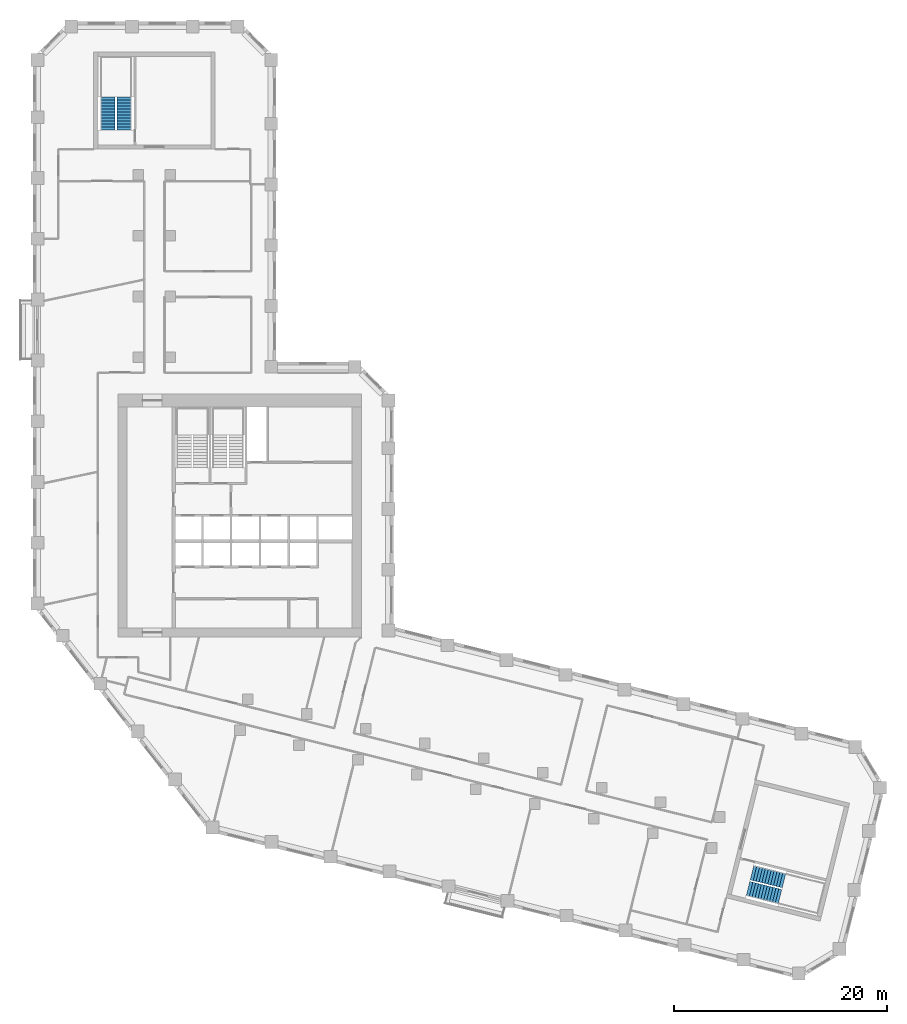
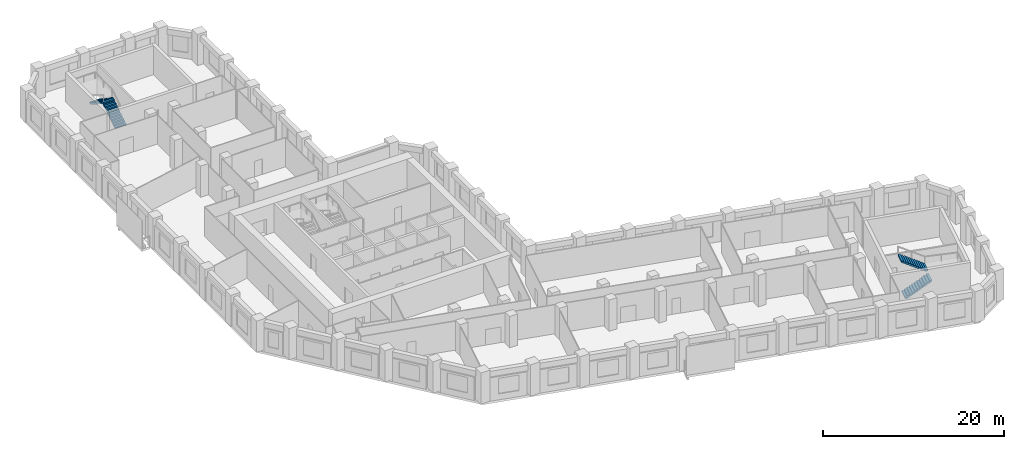
# One storey, part 9 of 10: 4 stair flights, 2 elements without a shape of their own.
"""IFC4 building model written with IfcOpenShell, lengths in metres."""

from ifc_helpers import new_model, si_unit, direction, frame, origin, place, context, subcontext, project, spatial, polyline, outline, extrude, material, type_object, element, aggregate, save


model = new_model("IFC4")

# Units and contexts
model_context = context("Model", 3, precision=1e-05, world=origin(), true_north=direction((0.0, 1.0)))
body_context = subcontext(model_context, "Body", "Model", "MODEL_VIEW")
ifc_project = project(units=[si_unit("LENGTHUNIT", "METRE"), si_unit("AREAUNIT", "SQUARE_METRE"), si_unit("VOLUMEUNIT", "CUBIC_METRE"), si_unit("PLANEANGLEUNIT", "RADIAN"), si_unit("MASSUNIT", "GRAM", prefix="KILO")], contexts=[model_context])

# Site, building, storey
site_placement = place(None, origin())
site = spatial("IfcSite", under=ifc_project, at=site_placement, CompositionType="ELEMENT")
building_placement = place(site_placement, origin())
building = spatial("IfcBuilding", under=site, at=building_placement, Name="Meshkara Civic Tower", CompositionType="ELEMENT")
storey_placement = place(building_placement, frame((0.0, 0.0, 174.0)))
storey = spatial("IfcBuildingStorey", under=building, at=storey_placement, Name="L39", CompositionType="ELEMENT", Elevation=174.0)

# Stair, stair flights
ifc_material_1 = material(Name="Precast concrete C40/50", Category="concrete")
stair_type = type_object("IfcStairType", Name="Exit stair half-turn 24 risers precast", PredefinedType="HALF_TURN_STAIR", material=ifc_material_1)
stair_1_placement = place(storey_placement, origin())
stair_1 = element("IfcStair", 1, at=stair_1_placement, inside=storey, type_object=stair_type, Name="L39 exit stair A from L35", PredefinedType="HALF_TURN_STAIR")
ifc_material_2 = material(Name="Precast concrete C40/50", Category="concrete")
stair_flight_type = type_object("IfcStairFlightType", Name="Exit stair flight 12 risers precast", PredefinedType="STRAIGHT", material=ifc_material_2)
stair_flight_1_placement = place(storey_placement, frame((8.574951171875, 61.669921875, 0.0), z_axis=(0.0, 0.0, 1.0), x_axis=(0.0, 1.0, 0.0)))
stair_flight_1 = element("IfcStairFlight", 2, at=stair_flight_1_placement, type_object=stair_flight_type, Name="ESA3 flight 1", NumberOfRisers=12, NumberOfTreads=11, PredefinedType="STRAIGHT", RiserHeight=0.175, TreadLength=0.28, context=body_context, shape_type="SweptSolid", body=[
    extrude(outline(polyline([(0.0, 0.0), (0.0, 0.175048828125), (0.280029296875, 0.175048828125), (0.280029296875, 0.35009765625), (0.56005859375, 0.35009765625), (0.56005859375, 0.52490234375), (0.840087890625, 0.52490234375), (0.840087890625, 0.699951171875), (1.1201171875, 0.699951171875), (1.1201171875, 0.875), (1.39990234375, 0.875), (1.39990234375, 1.050048828125), (1.679931640625, 1.050048828125), (1.679931640625, 1.22509765625), (1.9599609375, 1.22509765625), (1.9599609375, 1.39990234375), (2.239990234375, 1.39990234375), (2.239990234375, 1.574951171875), (2.52001953125, 1.574951171875), (2.52001953125, 1.75), (2.800048828125, 1.75), (2.800048828125, 1.925048828125), (3.080078125, 1.925048828125), (3.080078125, 2.10009765625), (3.080078125, 1.748291015625), (0.28271484375, 0.0), (0.0, 0.0)])), frame((0.0, 0.699951171875, 0.0), z_axis=(0.0, -1.0, 0.0), x_axis=(1.0, 0.0, 0.0)), (0.0, 0.0, 1.0), 1.39990234375),
])
stair_flight_2_placement = place(storey_placement, frame((7.02490234375, 64.75, 2.10009765625), z_axis=(0.0, 0.0, 1.0), x_axis=(0.0, -1.0, 0.0)))
stair_flight_2 = element("IfcStairFlight", 3, at=stair_flight_2_placement, type_object=stair_flight_type, Name="ESA3 flight 2", NumberOfRisers=12, NumberOfTreads=11, PredefinedType="STRAIGHT", RiserHeight=0.175, TreadLength=0.28, context=body_context, shape_type="SweptSolid", body=[
    extrude(outline(polyline([(0.0, 0.0), (0.0, 0.175048828125), (0.280029296875, 0.175048828125), (0.280029296875, 0.35009765625), (0.56005859375, 0.35009765625), (0.56005859375, 0.52490234375), (0.840087890625, 0.52490234375), (0.840087890625, 0.699951171875), (1.1201171875, 0.699951171875), (1.1201171875, 0.875), (1.39990234375, 0.875), (1.39990234375, 1.050048828125), (1.679931640625, 1.050048828125), (1.679931640625, 1.22509765625), (1.9599609375, 1.22509765625), (1.9599609375, 1.39990234375), (2.239990234375, 1.39990234375), (2.239990234375, 1.574951171875), (2.52001953125, 1.574951171875), (2.52001953125, 1.75), (2.800048828125, 1.75), (2.800048828125, 1.925048828125), (3.080078125, 1.925048828125), (3.080078125, 2.10009765625), (3.080078125, 1.748291015625), (0.28271484375, 0.0), (0.0, 0.0)])), frame((0.0, 0.699951171875, 0.0), z_axis=(0.0, -1.0, 0.0), x_axis=(1.0, 0.0, 0.0)), (0.0, 0.0, 1.0), 1.39990234375),
])
aggregate(stair_1, [stair_flight_1, stair_flight_2])

stair_2_placement = place(storey_placement, origin())
stair_2 = element("IfcStair", 4, at=stair_2_placement, inside=storey, type_object=stair_type, Name="L39 exit stair B from L35", PredefinedType="HALF_TURN_STAIR")
stair_flight_3_placement = place(storey_placement, frame((67.068115234375, -9.4814453125, 0.0), z_axis=(0.0, 0.0, 1.0), x_axis=(0.9703185901, -0.241830175344, 0.0)))
stair_flight_3 = element("IfcStairFlight", 5, at=stair_flight_3_placement, type_object=stair_flight_type, Name="ESB3 flight 1", NumberOfRisers=12, NumberOfTreads=11, PredefinedType="STRAIGHT", RiserHeight=0.175, TreadLength=0.28, context=body_context, shape_type="SweptSolid", body=[
    extrude(outline(polyline([(0.0, 0.0), (0.0, 0.175048828125), (0.280029296875, 0.175048828125), (0.280029296875, 0.35009765625), (0.56005859375, 0.35009765625), (0.56005859375, 0.52490234375), (0.840087890625, 0.52490234375), (0.840087890625, 0.699951171875), (1.1201171875, 0.699951171875), (1.1201171875, 0.875), (1.39990234375, 0.875), (1.39990234375, 1.050048828125), (1.679931640625, 1.050048828125), (1.679931640625, 1.22509765625), (1.9599609375, 1.22509765625), (1.9599609375, 1.39990234375), (2.239990234375, 1.39990234375), (2.239990234375, 1.574951171875), (2.52001953125, 1.574951171875), (2.52001953125, 1.75), (2.800048828125, 1.75), (2.800048828125, 1.925048828125), (3.080078125, 1.925048828125), (3.080078125, 2.10009765625), (3.080078125, 1.748291015625), (0.28271484375, 0.0), (0.0, 0.0)])), frame((0.0, 0.699951171875, 0.0), z_axis=(0.0, -1.0, 0.0), x_axis=(1.0, 0.0, 0.0)), (0.0, 0.0, 1.0), 1.39990234375),
])
stair_flight_4_placement = place(storey_placement, frame((70.431396484375, -8.722412109375, 2.10009765625), z_axis=(0.0, 0.0, 1.0), x_axis=(-0.9703185901, 0.241830175344, 0.0)))
stair_flight_4 = element("IfcStairFlight", 6, at=stair_flight_4_placement, type_object=stair_flight_type, Name="ESB3 flight 2", NumberOfRisers=12, NumberOfTreads=11, PredefinedType="STRAIGHT", RiserHeight=0.175, TreadLength=0.28, context=body_context, shape_type="SweptSolid", body=[
    extrude(outline(polyline([(0.0, 0.0), (0.0, 0.175048828125), (0.280029296875, 0.175048828125), (0.280029296875, 0.35009765625), (0.56005859375, 0.35009765625), (0.56005859375, 0.52490234375), (0.840087890625, 0.52490234375), (0.840087890625, 0.699951171875), (1.1201171875, 0.699951171875), (1.1201171875, 0.875), (1.39990234375, 0.875), (1.39990234375, 1.050048828125), (1.679931640625, 1.050048828125), (1.679931640625, 1.22509765625), (1.9599609375, 1.22509765625), (1.9599609375, 1.39990234375), (2.239990234375, 1.39990234375), (2.239990234375, 1.574951171875), (2.52001953125, 1.574951171875), (2.52001953125, 1.75), (2.800048828125, 1.75), (2.800048828125, 1.925048828125), (3.080078125, 1.925048828125), (3.080078125, 2.10009765625), (3.080078125, 1.748291015625), (0.28271484375, 0.0), (0.0, 0.0)])), frame((0.0, 0.699951171875, 0.0), z_axis=(0.0, -1.0, 0.0), x_axis=(1.0, 0.0, 0.0)), (0.0, 0.0, 1.0), 1.39990234375),
])
aggregate(stair_2, [stair_flight_3, stair_flight_4])

save(model, "model.ifc")
